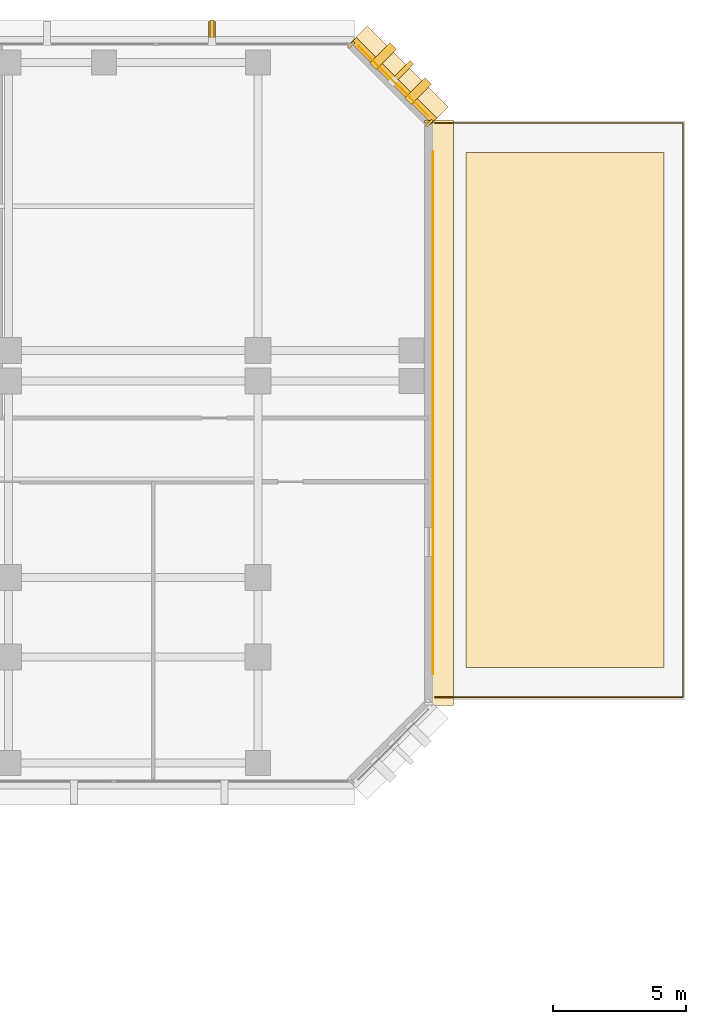
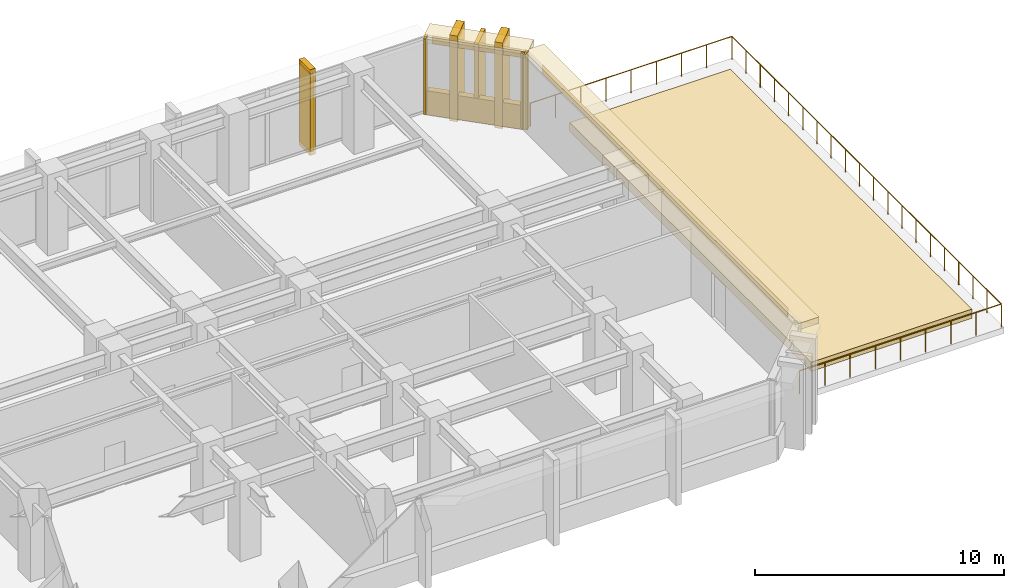
# One storey, part 13 of 13: 12 coverings, 2 shading devices, 1 railing.
"""IFC4 building model written with IfcOpenShell, lengths in metres."""

from ifc_helpers import new_model, si_unit, direction, frame, origin, origin_2d, place, context, subcontext, project, spatial, polyline, rectangle, circle, outline, extrude, material, layer, layer_set, material_profile, profile_set, type_object, element, save


model = new_model("IFC4")

# Units and contexts
model_context = context("Model", 3, precision=1e-05, world=origin(), true_north=direction((0.0, 1.0)))
body_context = subcontext(model_context, "Body", "Model", "MODEL_VIEW")
ifc_project = project(units=[si_unit("LENGTHUNIT", "METRE"), si_unit("AREAUNIT", "SQUARE_METRE"), si_unit("VOLUMEUNIT", "CUBIC_METRE"), si_unit("PLANEANGLEUNIT", "RADIAN"), si_unit("MASSUNIT", "GRAM", prefix="KILO")], contexts=[model_context])

# Site, building, storey
site_placement = place(None, origin())
site = spatial("IfcSite", under=ifc_project, at=site_placement, CompositionType="ELEMENT")
building_placement = place(site_placement, origin())
building = spatial("IfcBuilding", under=site, at=building_placement, Name="Kefirva Bronze Tower", CompositionType="ELEMENT")
storey_placement = place(building_placement, frame((0.0, 0.0, 30.360107421875)))
storey = spatial("IfcBuildingStorey", under=building, at=storey_placement, Name="L06", CompositionType="ELEMENT", Elevation=30.360107421875)

# Coverings
ifc_material_1 = material(Name="Bronze anodised aluminium", Category="aluminium")
ifc_layer_1 = layer(ifc_material_1, 0.02001953125, Name="Bronze anodised aluminium")
ifc_layer_set_1 = layer_set([ifc_layer_1], Name="Bronze anodised aluminium")
covering_type_1 = type_object("IfcCoveringType", Name="Anodised Bronze Spandrel Cladding 20mm", PredefinedType="CLADDING", material=ifc_layer_set_1)
covering_1_placement = place(storey_placement, frame((56.010009765625, 32.0, 3.2900390625), z_axis=(0.0, 0.0, 1.0), x_axis=(0.0, 1.0, 0.0)))
element("IfcCovering", 1, at=covering_1_placement, inside=storey, type_object=covering_type_1, Name="L06 Bronze Spandrel Cladding 5", PredefinedType="CLADDING", context=body_context, shape_type="SweptSolid", body=[
    extrude(rectangle(XDim=19.700927734375, YDim=0.02001953125, at=origin_2d()), origin(), (0.0, 0.0, 1.0), 0.39990234375),
])
covering_2_placement = place(storey_placement, frame((55.840087890625, 42.965087890625, 0.0), z_axis=(0.0, 0.0, 1.0), x_axis=(0.0, 1.0, 0.0)))
element("IfcCovering", 2, at=covering_2_placement, inside=storey, type_object=covering_type_1, Name="L06 Facade Joint Closure Panel 5E", PredefinedType="CLADDING", context=body_context, shape_type="SweptSolid", body=[
    extrude(rectangle(XDim=0.10009765625, YDim=0.320068359375, at=origin_2d()), origin(), (0.0, 0.0, 1.0), 3.7099609375),
])
covering_3_placement = place(storey_placement, frame((54.507080078125, 44.507080078125, 3.2900390625), z_axis=(0.0, 0.0, 1.0), x_axis=(-0.707106781187, 0.707106781187, 0.0)))
element("IfcCovering", 3, at=covering_3_placement, inside=storey, type_object=covering_type_1, Name="L06 Bronze Spandrel Cladding 6", PredefinedType="CLADDING", context=body_context, shape_type="SweptSolid", body=[
    extrude(rectangle(XDim=3.719482421875, YDim=0.02001953125, at=origin_2d()), origin(), (0.0, 0.0, 1.0), 0.39990234375),
])
for number, where, z_axis, x_axis, name in (
    (4, (55.862060546875, 42.91162109375, 0.0), (0.0, 0.0, 1.0), (-0.707106781187, 0.707106781187, 0.0), "L06 Facade Joint Closure Panel 6S"),
    (5, (52.91162109375, 45.862060546875, 0.0), (0.0, 0.0, 1.0), (-0.707106781187, 0.707106781187, 0.0), "L06 Facade Joint Closure Panel 6E"),
):
    element("IfcCovering", number, at=place(storey_placement, frame(where, z_axis=z_axis, x_axis=x_axis)), inside=storey, type_object=covering_type_1, Name=name, PredefinedType="CLADDING", context=body_context, shape_type="SweptSolid", body=[
        extrude(rectangle(XDim=0.10009765625, YDim=0.320068359375, at=origin_2d()), origin(), (0.0, 0.0, 1.0), 3.7099609375),
    ])
covering_4_placement = place(storey_placement, frame((54.5283203125, 44.5283203125, -0.16015625), z_axis=(0.0, 0.0, 1.0), x_axis=(-0.707106781187, 0.707106781187, 0.0)))
element("IfcCovering", 6, at=covering_4_placement, inside=storey, type_object=covering_type_1, Name="L06 Streamline Horizontal Spandrel Band 7", PredefinedType="CLADDING", context=body_context, shape_type="SweptSolid", body=[
    extrude(rectangle(XDim=4.28271484375, YDim=0.280029296875, at=origin_2d()), origin(), (0.0, 0.0, 1.0), 1.179931640625),
])

# Shading device
ifc_material_profile_1 = material_profile(ifc_material_1, rectangle(XDim=0.179931640625, YDim=1.080078125, at=origin_2d()), Name="BRONZE BUTTRESS FIN 180x1080")
ifc_profile_set_1 = profile_set([ifc_material_profile_1], Name="Bronze anodised aluminium")
shading_device_type_1 = type_object("IfcShadingDeviceType", Name="Chamfered Corner Buttress Bronze Fin 1080mm", PredefinedType="USERDEFINED", material=ifc_profile_set_1)
shading_device_1_placement = place(storey_placement, frame((54.8251953125, 44.8251953125, -0.14013671875), z_axis=(0.0, 0.0, 1.0), x_axis=(-0.707106781187, 0.707106781187, 0.0)))
element("IfcShadingDevice", 7, at=shading_device_1_placement, inside=storey, type_object=shading_device_type_1, Name="L06 Chamfered Corner Buttress Fin 16", ObjectType="VERTICAL FIN", PredefinedType="USERDEFINED", context=body_context, shape_type="SweptSolid", body=[
    extrude(rectangle(XDim=0.179931640625, YDim=1.080078125, at=origin_2d()), origin(), (0.0, 0.0, 1.0), 3.85009765625),
])

# Railing
railing_type = type_object("IfcRailingType", Name="Exterior Ship-Deck Terrace Guardrail 1150mm", PredefinedType="GUARDRAIL", material=ifc_material_1)
railing_placement = place(storey_placement, frame((56.070068359375, 21.280029296875, 0.0)))
element("IfcRailing", 8, at=railing_placement, inside=storey, type_object=railing_type, Name="L06 Terrace Perimeter Guardrail", PredefinedType="GUARDRAIL", context=body_context, shape_type="SweptSolid", body=[
    extrude(circle(Radius=0.02392578125, at=origin_2d()), frame((0.0, 0.0, 1.1259765625), z_axis=(1.0, 0.0, 0.0), x_axis=(0.0, 1.0, 0.0)), (0.0, 0.0, 1.0), 9.349853515625),
    extrude(circle(Radius=0.02392578125, at=origin_2d()), frame((9.349853515625, 0.0, 1.1259765625), z_axis=(0.0, 1.0, 0.0), x_axis=(-1.0, 0.0, 0.0)), (0.0, 0.0, 1.0), 21.639892578125),
    extrude(circle(Radius=0.02392578125, at=origin_2d()), frame((9.349853515625, 21.639892578125, 1.1259765625), z_axis=(-1.0, 0.0, 0.0), x_axis=(0.0, -1.0, 0.0)), (0.0, 0.0, 1.0), 9.349853515625),
    extrude(circle(Radius=0.02099609375, at=origin_2d()), origin(), (0.0, 0.0, 1.0), 1.101806640625),
    extrude(circle(Radius=0.02099609375, at=origin_2d()), frame((1.168701171875, 0.0, 0.0)), (0.0, 0.0, 1.0), 1.101806640625),
    extrude(circle(Radius=0.02099609375, at=origin_2d()), frame((2.33740234375, 0.0, 0.0)), (0.0, 0.0, 1.0), 1.101806640625),
    extrude(circle(Radius=0.02099609375, at=origin_2d()), frame((3.506103515625, 0.0, 0.0)), (0.0, 0.0, 1.0), 1.101806640625),
    extrude(circle(Radius=0.02099609375, at=origin_2d()), frame((4.6748046875, 0.0, 0.0)), (0.0, 0.0, 1.0), 1.101806640625),
    extrude(circle(Radius=0.02099609375, at=origin_2d()), frame((5.84375, 0.0, 0.0)), (0.0, 0.0, 1.0), 1.101806640625),
    extrude(circle(Radius=0.02099609375, at=origin_2d()), frame((7.012451171875, 0.0, 0.0)), (0.0, 0.0, 1.0), 1.101806640625),
    extrude(circle(Radius=0.02099609375, at=origin_2d()), frame((8.18115234375, 0.0, 0.0)), (0.0, 0.0, 1.0), 1.101806640625),
    extrude(circle(Radius=0.02099609375, at=origin_2d()), frame((9.349853515625, 0.0, 0.0)), (0.0, 0.0, 1.0), 1.101806640625),
    extrude(circle(Radius=0.02099609375, at=origin_2d()), frame((9.349853515625, 1.138916015625, 0.0)), (0.0, 0.0, 1.0), 1.101806640625),
    extrude(circle(Radius=0.02099609375, at=origin_2d()), frame((9.349853515625, 2.27783203125, 0.0)), (0.0, 0.0, 1.0), 1.101806640625),
    extrude(circle(Radius=0.02099609375, at=origin_2d()), frame((9.349853515625, 3.416748046875, 0.0)), (0.0, 0.0, 1.0), 1.101806640625),
    extrude(circle(Radius=0.02099609375, at=origin_2d()), frame((9.349853515625, 4.5556640625, 0.0)), (0.0, 0.0, 1.0), 1.101806640625),
    extrude(circle(Radius=0.02099609375, at=origin_2d()), frame((9.349853515625, 5.69482421875, 0.0)), (0.0, 0.0, 1.0), 1.101806640625),
    extrude(circle(Radius=0.02099609375, at=origin_2d()), frame((9.349853515625, 6.833740234375, 0.0)), (0.0, 0.0, 1.0), 1.101806640625),
    extrude(circle(Radius=0.02099609375, at=origin_2d()), frame((9.349853515625, 7.97265625, 0.0)), (0.0, 0.0, 1.0), 1.101806640625),
    extrude(circle(Radius=0.02099609375, at=origin_2d()), frame((9.349853515625, 9.111572265625, 0.0)), (0.0, 0.0, 1.0), 1.101806640625),
    extrude(circle(Radius=0.02099609375, at=origin_2d()), frame((9.349853515625, 10.25048828125, 0.0)), (0.0, 0.0, 1.0), 1.101806640625),
    extrude(circle(Radius=0.02099609375, at=origin_2d()), frame((9.349853515625, 11.389404296875, 0.0)), (0.0, 0.0, 1.0), 1.101806640625),
    extrude(circle(Radius=0.02099609375, at=origin_2d()), frame((9.349853515625, 12.5283203125, 0.0)), (0.0, 0.0, 1.0), 1.101806640625),
    extrude(circle(Radius=0.02099609375, at=origin_2d()), frame((9.349853515625, 13.667236328125, 0.0)), (0.0, 0.0, 1.0), 1.101806640625),
    extrude(circle(Radius=0.02099609375, at=origin_2d()), frame((9.349853515625, 14.80615234375, 0.0)), (0.0, 0.0, 1.0), 1.101806640625),
    extrude(circle(Radius=0.02099609375, at=origin_2d()), frame((9.349853515625, 15.945068359375, 0.0)), (0.0, 0.0, 1.0), 1.101806640625),
    extrude(circle(Radius=0.02099609375, at=origin_2d()), frame((9.349853515625, 17.084228515625, 0.0)), (0.0, 0.0, 1.0), 1.101806640625),
    extrude(circle(Radius=0.02099609375, at=origin_2d()), frame((9.349853515625, 18.22314453125, 0.0)), (0.0, 0.0, 1.0), 1.101806640625),
    extrude(circle(Radius=0.02099609375, at=origin_2d()), frame((9.349853515625, 19.362060546875, 0.0)), (0.0, 0.0, 1.0), 1.101806640625),
    extrude(circle(Radius=0.02099609375, at=origin_2d()), frame((9.349853515625, 20.5009765625, 0.0)), (0.0, 0.0, 1.0), 1.101806640625),
    extrude(circle(Radius=0.02099609375, at=origin_2d()), frame((9.349853515625, 21.639892578125, 0.0)), (0.0, 0.0, 1.0), 1.101806640625),
    extrude(circle(Radius=0.02099609375, at=origin_2d()), frame((8.18115234375, 21.639892578125, 0.0)), (0.0, 0.0, 1.0), 1.101806640625),
    extrude(circle(Radius=0.02099609375, at=origin_2d()), frame((7.012451171875, 21.639892578125, 0.0)), (0.0, 0.0, 1.0), 1.101806640625),
    extrude(circle(Radius=0.02099609375, at=origin_2d()), frame((5.84375, 21.639892578125, 0.0)), (0.0, 0.0, 1.0), 1.101806640625),
    extrude(circle(Radius=0.02099609375, at=origin_2d()), frame((4.6748046875, 21.639892578125, 0.0)), (0.0, 0.0, 1.0), 1.101806640625),
    extrude(circle(Radius=0.02099609375, at=origin_2d()), frame((3.506103515625, 21.639892578125, 0.0)), (0.0, 0.0, 1.0), 1.101806640625),
    extrude(circle(Radius=0.02099609375, at=origin_2d()), frame((2.33740234375, 21.639892578125, 0.0)), (0.0, 0.0, 1.0), 1.101806640625),
    extrude(circle(Radius=0.02099609375, at=origin_2d()), frame((1.168701171875, 21.639892578125, 0.0)), (0.0, 0.0, 1.0), 1.101806640625),
    extrude(circle(Radius=0.02099609375, at=origin_2d()), frame((0.0, 21.639892578125, 0.0)), (0.0, 0.0, 1.0), 1.101806640625),
])

# Coverings
ifc_material_2 = material(Name="Planted sky-garden soil substrate")
ifc_layer_2 = layer(ifc_material_2, 0.449951171875, Name="Planted sky-garden soil substrate")
ifc_layer_set_2 = layer_set([ifc_layer_2], Name="Planted sky-garden soil substrate")
covering_type_2 = type_object("IfcCoveringType", Name="Sky-Garden Planted Substrate Bed 450mm", PredefinedType="USERDEFINED", material=ifc_layer_set_2)
covering_5_placement = place(storey_placement, origin())
element("IfcCovering", 9, at=covering_5_placement, inside=storey, type_object=covering_type_2, Name="L06 Sky-Garden Planter Bed", ObjectType="PLANTER", PredefinedType="USERDEFINED", context=body_context, shape_type="SweptSolid", body=[
    extrude(outline(polyline([(57.25, 22.39990234375), (64.699951171875, 22.39990234375), (64.699951171875, 41.800048828125), (57.25, 41.800048828125), (57.25, 22.39990234375)])), origin(), (0.0, 0.0, 1.0), 0.449951171875),
])
ifc_layer_3 = layer(ifc_material_1, 0.179931640625, Name="Bronze anodised aluminium")
ifc_layer_set_3 = layer_set([ifc_layer_3], Name="Bronze anodised aluminium")
covering_type_3 = type_object("IfcCoveringType", Name="Streamline Bronze Sunshade Eyebrow Cladding 180mm", PredefinedType="CLADDING", material=ifc_layer_set_3)
covering_6_placement = place(storey_placement, frame((56.31005859375, 32.0, 3.3896484375), z_axis=(0.0, 0.0, 1.0), x_axis=(0.0, 1.0, 0.0)))
element("IfcCovering", 10, at=covering_6_placement, inside=storey, type_object=covering_type_3, Name="L06 Streamline Bronze Sunshade Eyebrow 6", PredefinedType="CLADDING", context=body_context, shape_type="SweptSolid", body=[
    extrude(rectangle(XDim=22.080078125, YDim=0.93994140625, at=origin_2d()), origin(), (0.0, 0.0, 1.0), 0.320068359375),
])
covering_7_placement = place(storey_placement, frame((54.71923828125, 44.71923828125, 3.3896484375), z_axis=(0.0, 0.0, 1.0), x_axis=(-0.707106781187, 0.707106781187, 0.0)))
element("IfcCovering", 11, at=covering_7_placement, inside=storey, type_object=covering_type_3, Name="L06 Streamline Bronze Sunshade Eyebrow 7", PredefinedType="CLADDING", context=body_context, shape_type="SweptSolid", body=[
    extrude(rectangle(XDim=4.322509765625, YDim=0.93994140625, at=origin_2d()), origin(), (0.0, 0.0, 1.0), 0.320068359375),
])
ifc_layer_4 = layer(ifc_material_1, 0.260009765625, Name="Bronze anodised aluminium")
ifc_layer_set_4 = layer_set([ifc_layer_4], Name="Bronze anodised aluminium")
covering_type_4 = type_object("IfcCoveringType", Name="Unbroken Bronze Buttress Fin Cladding 260mm", PredefinedType="CLADDING", material=ifc_layer_set_4)
for number, where, z_axis, x_axis, name in (
    (12, (55.44287109375, 44.122802734375, -0.25), (0.0, 0.0, 1.0), (-0.707106781187, 0.707106781187, 0.0), "L06 Chamfered Corner Buttress Fin Cladding 15"),
    (13, (54.122802734375, 45.44287109375, -0.25), (0.0, 0.0, 1.0), (-0.707106781187, 0.707106781187, 0.0), "L06 Chamfered Corner Buttress Fin Cladding 16"),
):
    element("IfcCovering", number, at=place(storey_placement, frame(where, z_axis=z_axis, x_axis=x_axis)), inside=storey, type_object=covering_type_4, Name=name, PredefinedType="CLADDING", context=body_context, shape_type="SweptSolid", body=[
        extrude(rectangle(XDim=0.340087890625, YDim=1.080078125, at=origin_2d()), origin(), (0.0, 0.0, 1.0), 4.2099609375),
    ])
covering_8_placement = place(storey_placement, frame((47.6728515625, 46.300048828125, -0.25), z_axis=(0.0, 0.0, 1.0), x_axis=(-1.0, 0.0, 0.0)))
element("IfcCovering", 14, at=covering_8_placement, inside=storey, type_object=covering_type_4, Name="L06 Unbroken Vertical Bronze Rib Fin 17", PredefinedType="CLADDING", context=body_context, shape_type="SweptSolid", body=[
    extrude(rectangle(XDim=0.260009765625, YDim=0.8798828125, at=origin_2d()), origin(), (0.0, 0.0, 1.0), 4.2099609375),
])

# Shading device
ifc_material_profile_2 = material_profile(ifc_material_1, rectangle(XDim=0.139892578125, YDim=0.8798828125, at=origin_2d()), Name="BRONZE FIN 140x880")
ifc_profile_set_2 = profile_set([ifc_material_profile_2], Name="Bronze anodised aluminium")
shading_device_type_2 = type_object("IfcShadingDeviceType", Name="Unbroken Vertical Bronze Facade Fin 880mm", PredefinedType="USERDEFINED", material=ifc_profile_set_2)
shading_device_2_placement = place(storey_placement, frame((47.6728515625, 46.360107421875, -0.14013671875), z_axis=(0.0, 0.0, 1.0), x_axis=(-1.0, 0.0, 0.0)))
element("IfcShadingDevice", 15, at=shading_device_2_placement, inside=storey, type_object=shading_device_type_2, Name="L06 Vertical Bronze Rib Fin 17", ObjectType="VERTICAL FIN", PredefinedType="USERDEFINED", context=body_context, shape_type="SweptSolid", body=[
    extrude(rectangle(XDim=0.139892578125, YDim=0.8798828125, at=origin_2d()), origin(), (0.0, 0.0, 1.0), 3.85009765625),
])

save(model, "model.ifc")
